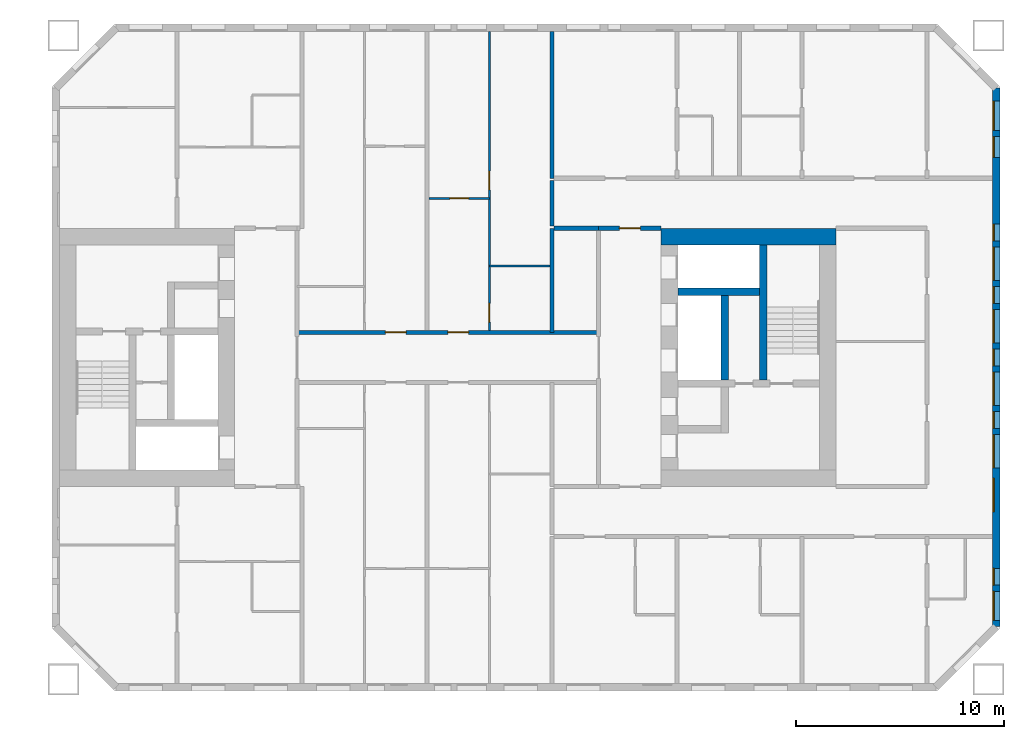
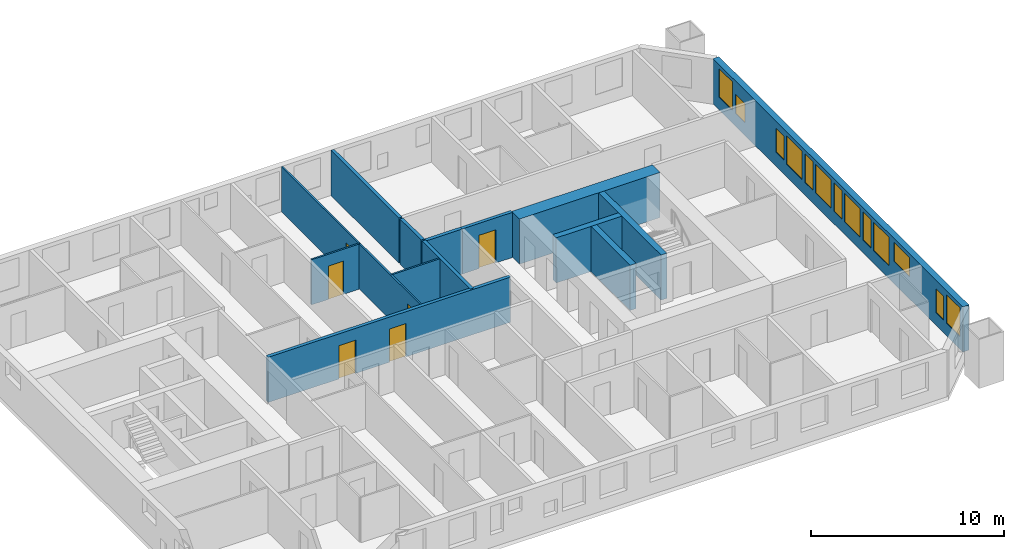
# One storey, part 15 of 19: 14 walls, 13 windows, 6 doors, 19 openings.
"""IFC4 building model written with IfcOpenShell, lengths in metres."""

from ifc_helpers import new_model, si_unit, direction, frame, frame_2d, origin, place, context, subcontext, project, spatial, rectangle, extrude, material, layer, layer_set, type_object, element, fill, save


model = new_model("IFC4")

# Units and contexts
model_context = context("Model", 3, precision=1e-05, world=origin(), true_north=direction((0.0, 1.0)))
body_context = subcontext(model_context, "Body", "Model", "MODEL_VIEW")
ifc_project = project(units=[si_unit("LENGTHUNIT", "METRE"), si_unit("AREAUNIT", "SQUARE_METRE"), si_unit("VOLUMEUNIT", "CUBIC_METRE"), si_unit("PLANEANGLEUNIT", "RADIAN"), si_unit("MASSUNIT", "GRAM", prefix="KILO")], contexts=[model_context])

# Site, building, storey
site_placement = place(None, origin())
site = spatial("IfcSite", under=ifc_project, at=site_placement, CompositionType="ELEMENT")
building_placement = place(site_placement, origin())
building = spatial("IfcBuilding", under=site, at=building_placement, Name="Tuart Gate Housing", CompositionType="ELEMENT")
storey_placement = place(building_placement, frame((0.0, 0.0, 56.699951171875)))
storey = spatial("IfcBuildingStorey", under=building, at=storey_placement, Name="L15", CompositionType="ELEMENT", Elevation=56.699951171875)

# Wall, openings, windows
ifc_material_1 = material(Name="Brick", Category="masonry")
ifc_layer_1 = layer(ifc_material_1, 0.360107421875)
ifc_layer_set_1 = layer_set([ifc_layer_1], Name="Brick pier and spandrel wall 360")
wall_type_1 = type_object("IfcWallType", Name="Brick pier and spandrel wall 360", PredefinedType="STANDARD", material=ifc_layer_set_1)
wall_1_placement = place(storey_placement, frame((176.320068359375, 57.07470703125, 0.0), z_axis=(0.0, 0.0, 1.0), x_axis=(0.0, 1.0, 0.0)))
wall_1 = element("IfcWall", 1, at=wall_1_placement, inside=storey, type_object=wall_type_1, Name="External wall B-E L15", PredefinedType="STANDARD", context=body_context, shape_type="SweptSolid", body=[
    extrude(rectangle(XDim=25.850830078125, YDim=0.360107421875, at=frame_2d((12.92529296875, 0.0))), origin(), (0.0, 0.0, 1.0), 2.85009765625),
])
opening_1_placement = place(wall_1_placement, frame((0.300048828125, 0.0, 0.800048828125)))
opening_1 = element("IfcOpeningElement", 2, at=opening_1_placement, cuts=wall_1, Name="Opening W1A", PredefinedType="OPENING", context=body_context, shape_type="SweptSolid", body=[
    extrude(rectangle(XDim=1.39990234375, YDim=1.800048828125, at=frame_2d((0.699951171875, 0.89990234375))), frame((0.0, 0.18994140625, 0.0), z_axis=(0.0, -1.0, 0.0), x_axis=(1.0, 0.0, 0.0)), (0.0, 0.0, 1.0), 0.380126953125),
])
opening_2_placement = place(wall_1_placement, frame((5.525390625, 0.0, 1.39990234375)))
opening_2 = element("IfcOpeningElement", 3, at=opening_2_placement, cuts=wall_1, Name="Opening W1L", PredefinedType="OPENING", context=body_context, shape_type="SweptSolid", body=[
    extrude(rectangle(XDim=1.60009765625, YDim=1.199951171875, at=frame_2d((0.800048828125, 0.60009765625))), frame((0.0, 0.18994140625, 0.0), z_axis=(0.0, -1.0, 0.0), x_axis=(1.0, 0.0, 0.0)), (0.0, 0.0, 1.0), 0.380126953125),
])
opening_3_placement = place(wall_1_placement, frame((7.62548828125, 0.0, 0.800048828125)))
opening_3 = element("IfcOpeningElement", 4, at=opening_3_placement, cuts=wall_1, Name="Opening W1", PredefinedType="OPENING", context=body_context, shape_type="SweptSolid", body=[
    extrude(rectangle(XDim=1.60009765625, YDim=1.800048828125, at=frame_2d((0.800048828125, 0.89990234375))), frame((0.0, 0.18994140625, 0.0), z_axis=(0.0, -1.0, 0.0), x_axis=(1.0, 0.0, 0.0)), (0.0, 0.0, 1.0), 0.380126953125),
])
opening_4_placement = place(wall_1_placement, frame((10.62548828125, 0.0, 0.800048828125)))
opening_4 = element("IfcOpeningElement", 5, at=opening_4_placement, cuts=wall_1, Name="Opening W1", PredefinedType="OPENING", context=body_context, shape_type="SweptSolid", body=[
    extrude(rectangle(XDim=1.60009765625, YDim=1.800048828125, at=frame_2d((0.800048828125, 0.89990234375))), frame((0.0, 0.18994140625, 0.0), z_axis=(0.0, -1.0, 0.0), x_axis=(1.0, 0.0, 0.0)), (0.0, 0.0, 1.0), 0.380126953125),
])
opening_5_placement = place(wall_1_placement, frame((13.62548828125, 0.0, 0.800048828125)))
opening_5 = element("IfcOpeningElement", 6, at=opening_5_placement, cuts=wall_1, Name="Opening W1", PredefinedType="OPENING", context=body_context, shape_type="SweptSolid", body=[
    extrude(rectangle(XDim=1.60009765625, YDim=1.800048828125, at=frame_2d((0.800048828125, 0.89990234375))), frame((0.0, 0.18994140625, 0.0), z_axis=(0.0, -1.0, 0.0), x_axis=(1.0, 0.0, 0.0)), (0.0, 0.0, 1.0), 0.380126953125),
])
opening_6_placement = place(wall_1_placement, frame((16.62548828125, 0.0, 0.800048828125)))
opening_6 = element("IfcOpeningElement", 7, at=opening_6_placement, cuts=wall_1, Name="Opening W1", PredefinedType="OPENING", context=body_context, shape_type="SweptSolid", body=[
    extrude(rectangle(XDim=1.60009765625, YDim=1.800048828125, at=frame_2d((0.800048828125, 0.89990234375))), frame((0.0, 0.18994140625, 0.0), z_axis=(0.0, -1.0, 0.0), x_axis=(1.0, 0.0, 0.0)), (0.0, 0.0, 1.0), 0.380126953125),
])
opening_7_placement = place(wall_1_placement, frame((9.525390625, 0.0, 0.800048828125)))
opening_7 = element("IfcOpeningElement", 8, at=opening_7_placement, cuts=wall_1, Name="Opening W1D", PredefinedType="OPENING", context=body_context, shape_type="SweptSolid", body=[
    extrude(rectangle(XDim=0.800048828125, YDim=1.800048828125, at=frame_2d((0.39990234375, 0.89990234375))), frame((0.0, 0.18994140625, 0.0), z_axis=(0.0, -1.0, 0.0), x_axis=(1.0, 0.0, 0.0)), (0.0, 0.0, 1.0), 0.380126953125),
])
opening_8_placement = place(wall_1_placement, frame((22.525390625, 0.0, 0.800048828125)))
opening_8 = element("IfcOpeningElement", 9, at=opening_8_placement, cuts=wall_1, Name="Opening W1O", PredefinedType="OPENING", context=body_context, shape_type="SweptSolid", body=[
    extrude(rectangle(XDim=1.0, YDim=1.199951171875, at=frame_2d((0.5, 0.60009765625))), frame((0.0, 0.18994140625, 0.0), z_axis=(0.0, -1.0, 0.0), x_axis=(1.0, 0.0, 0.0)), (0.0, 0.0, 1.0), 0.380126953125),
])
opening_9_placement = place(wall_1_placement, frame((2.0, 0.0, 0.800048828125)))
opening_9 = element("IfcOpeningElement", 10, at=opening_9_placement, cuts=wall_1, Name="Opening W1J", PredefinedType="OPENING", context=body_context, shape_type="SweptSolid", body=[
    extrude(rectangle(XDim=0.800048828125, YDim=1.5, at=frame_2d((0.39990234375, 0.75))), frame((0.0, 0.18994140625, 0.0), z_axis=(0.0, -1.0, 0.0), x_axis=(1.0, 0.0, 0.0)), (0.0, 0.0, 1.0), 0.380126953125),
])
opening_10_placement = place(wall_1_placement, frame((12.525390625, 0.0, 0.800048828125)))
opening_10 = element("IfcOpeningElement", 11, at=opening_10_placement, cuts=wall_1, Name="Opening W1D", PredefinedType="OPENING", context=body_context, shape_type="SweptSolid", body=[
    extrude(rectangle(XDim=0.800048828125, YDim=1.800048828125, at=frame_2d((0.39990234375, 0.89990234375))), frame((0.0, 0.18994140625, 0.0), z_axis=(0.0, -1.0, 0.0), x_axis=(1.0, 0.0, 0.0)), (0.0, 0.0, 1.0), 0.380126953125),
])
opening_11_placement = place(wall_1_placement, frame((15.525390625, 0.0, 0.800048828125)))
opening_11 = element("IfcOpeningElement", 12, at=opening_11_placement, cuts=wall_1, Name="Opening W1D", PredefinedType="OPENING", context=body_context, shape_type="SweptSolid", body=[
    extrude(rectangle(XDim=0.800048828125, YDim=1.800048828125, at=frame_2d((0.39990234375, 0.89990234375))), frame((0.0, 0.18994140625, 0.0), z_axis=(0.0, -1.0, 0.0), x_axis=(1.0, 0.0, 0.0)), (0.0, 0.0, 1.0), 0.380126953125),
])
opening_12_placement = place(wall_1_placement, frame((18.525390625, 0.0, 0.89990234375)))
opening_12 = element("IfcOpeningElement", 13, at=opening_12_placement, cuts=wall_1, Name="Opening W1J", PredefinedType="OPENING", context=body_context, shape_type="SweptSolid", body=[
    extrude(rectangle(XDim=0.800048828125, YDim=1.5, at=frame_2d((0.39990234375, 0.75))), frame((0.0, 0.18994140625, 0.0), z_axis=(0.0, -1.0, 0.0), x_axis=(1.0, 0.0, 0.0)), (0.0, 0.0, 1.0), 0.380126953125),
])
opening_13_placement = place(wall_1_placement, frame((23.825439453125, 0.0, 0.800048828125)))
opening_13 = element("IfcOpeningElement", 14, at=opening_13_placement, cuts=wall_1, Name="Opening W1A", PredefinedType="OPENING", context=body_context, shape_type="SweptSolid", body=[
    extrude(rectangle(XDim=1.39990234375, YDim=1.800048828125, at=frame_2d((0.699951171875, 0.89990234375))), frame((0.0, 0.18994140625, 0.0), z_axis=(0.0, -1.0, 0.0), x_axis=(1.0, 0.0, 0.0)), (0.0, 0.0, 1.0), 0.380126953125),
])
ifc_material_2 = material(Name="Aluminium frame with clear glass", Category="aluminium")
window_type_1 = type_object("IfcWindowType", Name="Punched window 1000 x 1200", PartitioningType="SINGLE_PANEL", PredefinedType="WINDOW", material=ifc_material_2)
window_1_placement = place(opening_8_placement, origin())
window_1 = element("IfcWindow", 15, at=window_1_placement, inside=storey, type_object=window_type_1, Name="Window W1O", OverallHeight=1.199951171875, OverallWidth=1.0, PartitioningType="SINGLE_PANEL", PredefinedType="WINDOW", context=body_context, shape_type="SweptSolid", body=[
    extrude(rectangle(XDim=1.0, YDim=1.199951171875, at=frame_2d((0.5, 0.60009765625))), frame((0.0, 0.150146484375, 0.0), z_axis=(0.0, -1.0, 0.0), x_axis=(1.0, 0.0, 0.0)), (0.0, 0.0, 1.0), 0.06005859375),
])
fill(opening_8, window_1)
ifc_material_3 = material(Name="Aluminium frame with clear glass", Category="aluminium")
window_type_2 = type_object("IfcWindowType", Name="Punched window 1400 x 1800", PartitioningType="SINGLE_PANEL", PredefinedType="WINDOW", material=ifc_material_3)
window_2_placement = place(opening_1_placement, origin())
window_2 = element("IfcWindow", 16, at=window_2_placement, inside=storey, type_object=window_type_2, Name="Window W1A", OverallHeight=1.800048828125, OverallWidth=1.39990234375, PartitioningType="SINGLE_PANEL", PredefinedType="WINDOW", context=body_context, shape_type="SweptSolid", body=[
    extrude(rectangle(XDim=1.39990234375, YDim=1.800048828125, at=frame_2d((0.699951171875, 0.89990234375))), frame((0.0, 0.150146484375, 0.0), z_axis=(0.0, -1.0, 0.0), x_axis=(1.0, 0.0, 0.0)), (0.0, 0.0, 1.0), 0.06005859375),
])
fill(opening_1, window_2)
window_3_placement = place(opening_13_placement, origin())
window_3 = element("IfcWindow", 17, at=window_3_placement, inside=storey, type_object=window_type_2, Name="Window W1A", OverallHeight=1.800048828125, OverallWidth=1.39990234375, PartitioningType="SINGLE_PANEL", PredefinedType="WINDOW", context=body_context, shape_type="SweptSolid", body=[
    extrude(rectangle(XDim=1.39990234375, YDim=1.800048828125, at=frame_2d((0.699951171875, 0.89990234375))), frame((0.0, 0.150146484375, 0.0), z_axis=(0.0, -1.0, 0.0), x_axis=(1.0, 0.0, 0.0)), (0.0, 0.0, 1.0), 0.06005859375),
])
fill(opening_13, window_3)
ifc_material_4 = material(Name="Aluminium frame with clear glass", Category="aluminium")
window_type_3 = type_object("IfcWindowType", Name="Punched window 1600 x 1200", PartitioningType="SINGLE_PANEL", PredefinedType="WINDOW", material=ifc_material_4)
window_4_placement = place(opening_2_placement, origin())
window_4 = element("IfcWindow", 18, at=window_4_placement, inside=storey, type_object=window_type_3, Name="Window W1L", OverallHeight=1.199951171875, OverallWidth=1.60009765625, PartitioningType="SINGLE_PANEL", PredefinedType="WINDOW", context=body_context, shape_type="SweptSolid", body=[
    extrude(rectangle(XDim=1.60009765625, YDim=1.199951171875, at=frame_2d((0.800048828125, 0.60009765625))), frame((0.0, 0.150146484375, 0.0), z_axis=(0.0, -1.0, 0.0), x_axis=(1.0, 0.0, 0.0)), (0.0, 0.0, 1.0), 0.06005859375),
])
fill(opening_2, window_4)
ifc_material_5 = material(Name="Aluminium frame with clear glass", Category="aluminium")
window_type_4 = type_object("IfcWindowType", Name="Punched window 1600 x 1800", PartitioningType="SINGLE_PANEL", PredefinedType="WINDOW", material=ifc_material_5)
window_5_placement = place(opening_3_placement, origin())
window_5 = element("IfcWindow", 19, at=window_5_placement, inside=storey, type_object=window_type_4, Name="Window W1", OverallHeight=1.800048828125, OverallWidth=1.60009765625, PartitioningType="SINGLE_PANEL", PredefinedType="WINDOW", context=body_context, shape_type="SweptSolid", body=[
    extrude(rectangle(XDim=1.60009765625, YDim=1.800048828125, at=frame_2d((0.800048828125, 0.89990234375))), frame((0.0, 0.150146484375, 0.0), z_axis=(0.0, -1.0, 0.0), x_axis=(1.0, 0.0, 0.0)), (0.0, 0.0, 1.0), 0.06005859375),
])
fill(opening_3, window_5)
window_6_placement = place(opening_4_placement, origin())
window_6 = element("IfcWindow", 20, at=window_6_placement, inside=storey, type_object=window_type_4, Name="Window W1", OverallHeight=1.800048828125, OverallWidth=1.60009765625, PartitioningType="SINGLE_PANEL", PredefinedType="WINDOW", context=body_context, shape_type="SweptSolid", body=[
    extrude(rectangle(XDim=1.60009765625, YDim=1.800048828125, at=frame_2d((0.800048828125, 0.89990234375))), frame((0.0, 0.150146484375, 0.0), z_axis=(0.0, -1.0, 0.0), x_axis=(1.0, 0.0, 0.0)), (0.0, 0.0, 1.0), 0.06005859375),
])
fill(opening_4, window_6)
window_7_placement = place(opening_5_placement, origin())
window_7 = element("IfcWindow", 21, at=window_7_placement, inside=storey, type_object=window_type_4, Name="Window W1", OverallHeight=1.800048828125, OverallWidth=1.60009765625, PartitioningType="SINGLE_PANEL", PredefinedType="WINDOW", context=body_context, shape_type="SweptSolid", body=[
    extrude(rectangle(XDim=1.60009765625, YDim=1.800048828125, at=frame_2d((0.800048828125, 0.89990234375))), frame((0.0, 0.150146484375, 0.0), z_axis=(0.0, -1.0, 0.0), x_axis=(1.0, 0.0, 0.0)), (0.0, 0.0, 1.0), 0.06005859375),
])
fill(opening_5, window_7)
window_8_placement = place(opening_6_placement, origin())
window_8 = element("IfcWindow", 22, at=window_8_placement, inside=storey, type_object=window_type_4, Name="Window W1", OverallHeight=1.800048828125, OverallWidth=1.60009765625, PartitioningType="SINGLE_PANEL", PredefinedType="WINDOW", context=body_context, shape_type="SweptSolid", body=[
    extrude(rectangle(XDim=1.60009765625, YDim=1.800048828125, at=frame_2d((0.800048828125, 0.89990234375))), frame((0.0, 0.150146484375, 0.0), z_axis=(0.0, -1.0, 0.0), x_axis=(1.0, 0.0, 0.0)), (0.0, 0.0, 1.0), 0.06005859375),
])
fill(opening_6, window_8)
ifc_material_6 = material(Name="Aluminium frame with clear glass", Category="aluminium")
window_type_5 = type_object("IfcWindowType", Name="Punched window 800 x 1500", PartitioningType="SINGLE_PANEL", PredefinedType="WINDOW", material=ifc_material_6)
window_9_placement = place(opening_9_placement, origin())
window_9 = element("IfcWindow", 23, at=window_9_placement, inside=storey, type_object=window_type_5, Name="Window W1J", OverallHeight=1.5, OverallWidth=0.800048828125, PartitioningType="SINGLE_PANEL", PredefinedType="WINDOW", context=body_context, shape_type="SweptSolid", body=[
    extrude(rectangle(XDim=0.800048828125, YDim=1.5, at=frame_2d((0.39990234375, 0.75))), frame((0.0, 0.150146484375, 0.0), z_axis=(0.0, -1.0, 0.0), x_axis=(1.0, 0.0, 0.0)), (0.0, 0.0, 1.0), 0.06005859375),
])
fill(opening_9, window_9)
window_10_placement = place(opening_12_placement, origin())
window_10 = element("IfcWindow", 24, at=window_10_placement, inside=storey, type_object=window_type_5, Name="Window W1J", OverallHeight=1.5, OverallWidth=0.800048828125, PartitioningType="SINGLE_PANEL", PredefinedType="WINDOW", context=body_context, shape_type="SweptSolid", body=[
    extrude(rectangle(XDim=0.800048828125, YDim=1.5, at=frame_2d((0.39990234375, 0.75))), frame((0.0, 0.150146484375, 0.0), z_axis=(0.0, -1.0, 0.0), x_axis=(1.0, 0.0, 0.0)), (0.0, 0.0, 1.0), 0.06005859375),
])
fill(opening_12, window_10)
ifc_material_7 = material(Name="Aluminium frame with clear glass", Category="aluminium")
window_type_6 = type_object("IfcWindowType", Name="Punched window 800 x 1800", PartitioningType="SINGLE_PANEL", PredefinedType="WINDOW", material=ifc_material_7)
window_11_placement = place(opening_7_placement, origin())
window_11 = element("IfcWindow", 25, at=window_11_placement, inside=storey, type_object=window_type_6, Name="Window W1D", OverallHeight=1.800048828125, OverallWidth=0.800048828125, PartitioningType="SINGLE_PANEL", PredefinedType="WINDOW", context=body_context, shape_type="SweptSolid", body=[
    extrude(rectangle(XDim=0.800048828125, YDim=1.800048828125, at=frame_2d((0.39990234375, 0.89990234375))), frame((0.0, 0.150146484375, 0.0), z_axis=(0.0, -1.0, 0.0), x_axis=(1.0, 0.0, 0.0)), (0.0, 0.0, 1.0), 0.06005859375),
])
fill(opening_7, window_11)
window_12_placement = place(opening_10_placement, origin())
window_12 = element("IfcWindow", 26, at=window_12_placement, inside=storey, type_object=window_type_6, Name="Window W1D", OverallHeight=1.800048828125, OverallWidth=0.800048828125, PartitioningType="SINGLE_PANEL", PredefinedType="WINDOW", context=body_context, shape_type="SweptSolid", body=[
    extrude(rectangle(XDim=0.800048828125, YDim=1.800048828125, at=frame_2d((0.39990234375, 0.89990234375))), frame((0.0, 0.150146484375, 0.0), z_axis=(0.0, -1.0, 0.0), x_axis=(1.0, 0.0, 0.0)), (0.0, 0.0, 1.0), 0.06005859375),
])
fill(opening_10, window_12)
window_13_placement = place(opening_11_placement, origin())
window_13 = element("IfcWindow", 27, at=window_13_placement, inside=storey, type_object=window_type_6, Name="Window W1D", OverallHeight=1.800048828125, OverallWidth=0.800048828125, PartitioningType="SINGLE_PANEL", PredefinedType="WINDOW", context=body_context, shape_type="SweptSolid", body=[
    extrude(rectangle(XDim=0.800048828125, YDim=1.800048828125, at=frame_2d((0.39990234375, 0.89990234375))), frame((0.0, 0.150146484375, 0.0), z_axis=(0.0, -1.0, 0.0), x_axis=(1.0, 0.0, 0.0)), (0.0, 0.0, 1.0), 0.06005859375),
])
fill(opening_11, window_13)

# Walls
ifc_material_8 = material(Name="Concrete C60", Category="concrete")
ifc_layer_2 = layer(ifc_material_8, 0.35009765625)
ifc_layer_set_2 = layer_set([ifc_layer_2], Name="Core wall 350 C60")
wall_type_2 = type_object("IfcWallType", Name="Core wall 350 C60", PredefinedType="SHEAR", material=ifc_layer_set_2)
wall_2_placement = place(storey_placement, frame((161.0400390625, 73.14990234375, 0.0), z_axis=(0.0, 0.0, 1.0), x_axis=(1.0, 0.0, 0.0)))
element("IfcWall", 28, at=wall_2_placement, inside=storey, type_object=wall_type_2, Name="Core wall BK.1", PredefinedType="SHEAR", context=body_context, shape_type="SweptSolid", body=[
    extrude(rectangle(XDim=3.925048828125, YDim=0.35009765625, at=frame_2d((1.96240234375, 0.0))), origin(), (0.0, 0.0, 1.0), 2.85009765625),
])
wall_3_placement = place(storey_placement, frame((163.2900390625, 72.97509765625, 0.0), z_axis=(0.0, 0.0, 1.0), x_axis=(0.0, -1.0, 0.0)))
element("IfcWall", 29, at=wall_3_placement, inside=storey, type_object=wall_type_2, Name="Core wall BK.4", PredefinedType="SHEAR", context=body_context, shape_type="SweptSolid", body=[
    extrude(rectangle(XDim=4.050048828125, YDim=0.35009765625, at=frame_2d((2.02490234375, 0.0))), origin(), (0.0, 0.0, 1.0), 2.85009765625),
])
wall_4_placement = place(storey_placement, frame((165.139892578125, 75.39990234375, 0.0), z_axis=(0.0, 0.0, 1.0), x_axis=(0.0, -1.0, 0.0)))
element("IfcWall", 30, at=wall_4_placement, inside=storey, type_object=wall_type_2, Name="Core wall BK.6", PredefinedType="SHEAR", context=body_context, shape_type="SweptSolid", body=[
    extrude(rectangle(XDim=6.474853515625, YDim=0.35009765625, at=frame_2d((3.2373046875, 0.0))), origin(), (0.0, 0.0, 1.0), 2.85009765625),
])
ifc_material_9 = material(Name="Concrete C60", Category="concrete")
ifc_layer_3 = layer(ifc_material_9, 0.800048828125)
ifc_layer_set_3 = layer_set([ifc_layer_3], Name="Core wall 800 C60")
wall_type_3 = type_object("IfcWallType", Name="Core wall 800 C60", PredefinedType="SHEAR", material=ifc_layer_set_3)
wall_5_placement = place(storey_placement, frame((160.239990234375, 75.800048828125, 0.0), z_axis=(0.0, 0.0, 1.0), x_axis=(1.0, 0.0, 0.0)))
element("IfcWall", 31, at=wall_5_placement, inside=storey, type_object=wall_type_3, Name="Core wall BK south", PredefinedType="SHEAR", context=body_context, shape_type="SweptSolid", body=[
    extrude(rectangle(XDim=8.39990234375, YDim=0.800048828125, at=frame_2d((4.199951171875, 0.0))), origin(), (0.0, 0.0, 1.0), 2.85009765625),
])

# Wall, openings, doors
ifc_material_10 = material(Name="Concrete masonry 15 MPa", Category="masonry")
ifc_layer_4 = layer(ifc_material_10, 0.199951171875)
ifc_layer_set_4 = layer_set([ifc_layer_4], Name="Corridor wall masonry 200")
wall_type_4 = type_object("IfcWallType", Name="Corridor wall masonry 200", PredefinedType="PARTITIONING", material=ifc_layer_set_4)
wall_6_placement = place(storey_placement, frame((142.760009765625, 71.199951171875, 0.0), z_axis=(0.0, 0.0, 1.0), x_axis=(1.0, 0.0, 0.0)))
wall_6 = element("IfcWall", 32, at=wall_6_placement, inside=storey, type_object=wall_type_4, Name="Corridor wall masonry 200", PredefinedType="PARTITIONING", context=body_context, shape_type="SweptSolid", body=[
    extrude(rectangle(XDim=14.47998046875, YDim=0.199951171875, at=frame_2d((7.239990234375, 0.0))), origin(), (0.0, 0.0, 1.0), 2.85009765625),
])
opening_14_placement = place(wall_6_placement, frame((4.239990234375, 0.0, 0.0)))
opening_14 = element("IfcOpeningElement", 33, at=opening_14_placement, cuts=wall_6, Name="Opening D799", PredefinedType="OPENING", context=body_context, shape_type="SweptSolid", body=[
    extrude(rectangle(XDim=1.0, YDim=2.10009765625, at=frame_2d((0.5, 1.050048828125))), frame((0.0, 0.10986328125, 0.0), z_axis=(0.0, -1.0, 0.0), x_axis=(1.0, 0.0, 0.0)), (0.0, 0.0, 1.0), 0.219970703125),
])
opening_15_placement = place(wall_6_placement, frame((7.239990234375, 0.0, 0.0)))
opening_15 = element("IfcOpeningElement", 34, at=opening_15_placement, cuts=wall_6, Name="Opening D800", PredefinedType="OPENING", context=body_context, shape_type="SweptSolid", body=[
    extrude(rectangle(XDim=1.0, YDim=2.10009765625, at=frame_2d((0.5, 1.050048828125))), frame((0.0, 0.10986328125, 0.0), z_axis=(0.0, -1.0, 0.0), x_axis=(1.0, 0.0, 0.0)), (0.0, 0.0, 1.0), 0.219970703125),
])
ifc_material_11 = material(Name="Timber door leaf in steel frame", Category="steel")
door_type_1 = type_object("IfcDoorType", Name="Flat entrance door 1000", OperationType="SINGLE_SWING_LEFT", PredefinedType="DOOR", material=ifc_material_11)
door_1_placement = place(opening_14_placement, origin())
door_1 = element("IfcDoor", 35, at=door_1_placement, inside=storey, type_object=door_type_1, Name="Flat entrance door", OperationType="SINGLE_SWING_LEFT", OverallHeight=2.10009765625, OverallWidth=1.0, PredefinedType="DOOR", context=body_context, shape_type="SweptSolid", body=[
    extrude(rectangle(XDim=1.0, YDim=2.10009765625, at=frame_2d((0.5, 1.050048828125))), frame((0.0, 0.02490234375, 0.0), z_axis=(0.0, -1.0, 0.0), x_axis=(1.0, 0.0, 0.0)), (0.0, 0.0, 1.0), 0.050048828125),
])
fill(opening_14, door_1)
door_2_placement = place(opening_15_placement, origin())
door_2 = element("IfcDoor", 36, at=door_2_placement, inside=storey, type_object=door_type_1, Name="Flat entrance door", OperationType="SINGLE_SWING_LEFT", OverallHeight=2.10009765625, OverallWidth=1.0, PredefinedType="DOOR", context=body_context, shape_type="SweptSolid", body=[
    extrude(rectangle(XDim=1.0, YDim=2.10009765625, at=frame_2d((0.5, 1.050048828125))), frame((0.0, 0.02490234375, 0.0), z_axis=(0.0, -1.0, 0.0), x_axis=(1.0, 0.0, 0.0)), (0.0, 0.0, 1.0), 0.050048828125),
])
fill(opening_15, door_2)

# Walls
wall_7_placement = place(storey_placement, frame((155.10009765625, 76.199951171875, 0.0), z_axis=(0.0, 0.0, 1.0), x_axis=(1.0, 0.0, 0.0)))
element("IfcWall", 37, at=wall_7_placement, inside=storey, type_object=wall_type_4, Name="Corridor wall masonry 200", PredefinedType="PARTITIONING", context=body_context, shape_type="SweptSolid", body=[
    extrude(rectangle(XDim=2.139892578125, YDim=0.199951171875, at=frame_2d((1.06982421875, 0.0))), origin(), (0.0, 0.0, 1.0), 2.85009765625),
])
wall_8_placement = place(storey_placement, frame((155.0, 76.300048828125, 0.0), z_axis=(0.0, 0.0, 1.0), x_axis=(0.0, 1.0, 0.0)))
element("IfcWall", 38, at=wall_8_placement, inside=storey, type_object=wall_type_4, Name="Corridor wall masonry 200", PredefinedType="PARTITIONING", context=body_context, shape_type="SweptSolid", body=[
    extrude(rectangle(XDim=2.199951171875, YDim=0.199951171875, at=frame_2d((1.10009765625, 0.0))), origin(), (0.0, 0.0, 1.0), 2.85009765625),
])

# Wall, opening, door
ifc_material_12 = material(Name="Concrete masonry 15 MPa", Category="masonry")
ifc_layer_5 = layer(ifc_material_12, 0.199951171875)
ifc_layer_set_5 = layer_set([ifc_layer_5], Name="Enclosure wall masonry 200")
wall_type_5 = type_object("IfcWallType", Name="Enclosure wall masonry 200", PredefinedType="PARTITIONING", material=ifc_layer_set_5)
wall_9_placement = place(storey_placement, frame((157.239990234375, 76.199951171875, 0.0), z_axis=(0.0, 0.0, 1.0), x_axis=(1.0, 0.0, 0.0)))
wall_9 = element("IfcWall", 39, at=wall_9_placement, inside=storey, type_object=wall_type_5, Name="Enclosure wall masonry 200", PredefinedType="PARTITIONING", context=body_context, shape_type="SweptSolid", body=[
    extrude(rectangle(XDim=3.0, YDim=0.199951171875, at=frame_2d((1.5, 0.0))), origin(), (0.0, 0.0, 1.0), 2.85009765625),
])
opening_16_placement = place(wall_9_placement, frame((1.0, 0.0, 0.0)))
opening_16 = element("IfcOpeningElement", 40, at=opening_16_placement, cuts=wall_9, Name="Opening D796", PredefinedType="OPENING", context=body_context, shape_type="SweptSolid", body=[
    extrude(rectangle(XDim=1.0, YDim=2.10009765625, at=frame_2d((0.5, 1.050048828125))), frame((0.0, 0.10986328125, 0.0), z_axis=(0.0, -1.0, 0.0), x_axis=(1.0, 0.0, 0.0)), (0.0, 0.0, 1.0), 0.219970703125),
])
ifc_material_13 = material(Name="Timber door leaf in steel frame", Category="steel")
door_type_2 = type_object("IfcDoorType", Name="Fire door 1000", OperationType="SINGLE_SWING_LEFT", PredefinedType="DOOR", material=ifc_material_13)
door_3_placement = place(opening_16_placement, origin())
door_3 = element("IfcDoor", 41, at=door_3_placement, inside=storey, type_object=door_type_2, Name="Fire door", OperationType="SINGLE_SWING_LEFT", OverallHeight=2.10009765625, OverallWidth=1.0, PredefinedType="DOOR", context=body_context, shape_type="SweptSolid", body=[
    extrude(rectangle(XDim=1.0, YDim=2.10009765625, at=frame_2d((0.5, 1.050048828125))), frame((0.0, 0.02490234375, 0.0), z_axis=(0.0, -1.0, 0.0), x_axis=(1.0, 0.0, 0.0)), (0.0, 0.0, 1.0), 0.050048828125),
])
fill(opening_16, door_3)

# Wall
ifc_material_14 = material(Name="Gypsum board on steel studs", Category="steel")
ifc_layer_6 = layer(ifc_material_14, 0.10009765625)
ifc_layer_set_6 = layer_set([ifc_layer_6], Name="Partition 100")
wall_type_6 = type_object("IfcWallType", Name="Partition 100", PredefinedType="PARTITIONING", material=ifc_layer_set_6)
wall_10_placement = place(storey_placement, frame((152.0, 74.39990234375, 0.0), z_axis=(0.0, 0.0, 1.0), x_axis=(1.0, 0.0, 0.0)))
element("IfcWall", 42, at=wall_10_placement, inside=storey, type_object=wall_type_6, Name="Partition 100", PredefinedType="PARTITIONING", context=body_context, shape_type="SweptSolid", body=[
    extrude(rectangle(XDim=2.89990234375, YDim=0.10009765625, at=frame_2d((1.449951171875, 0.0))), origin(), (0.0, 0.0, 1.0), 2.85009765625),
])

# Wall, opening, door
wall_11_placement = place(storey_placement, frame((149.10009765625, 77.639892578125, 0.0), z_axis=(0.0, 0.0, 1.0), x_axis=(1.0, 0.0, 0.0)))
wall_11 = element("IfcWall", 43, at=wall_11_placement, inside=storey, type_object=wall_type_6, Name="Partition 100", PredefinedType="PARTITIONING", context=body_context, shape_type="SweptSolid", body=[
    extrude(rectangle(XDim=2.89990234375, YDim=0.10009765625, at=frame_2d((1.449951171875, 0.0))), origin(), (0.0, 0.0, 1.0), 2.85009765625),
])
opening_17_placement = place(wall_11_placement, frame((1.0, 0.0, 0.0)))
opening_17 = element("IfcOpeningElement", 44, at=opening_17_placement, cuts=wall_11, Name="Opening D794", PredefinedType="OPENING", context=body_context, shape_type="SweptSolid", body=[
    extrude(rectangle(XDim=0.89990234375, YDim=2.10009765625, at=frame_2d((0.449951171875, 1.050048828125))), frame((0.0, 0.06005859375, 0.0), z_axis=(0.0, -1.0, 0.0), x_axis=(1.0, 0.0, 0.0)), (0.0, 0.0, 1.0), 0.1201171875),
])
ifc_material_15 = material(Name="Timber door leaf in steel frame", Category="steel")
door_type_3 = type_object("IfcDoorType", Name="Internal door 900", OperationType="SINGLE_SWING_LEFT", PredefinedType="DOOR", material=ifc_material_15)
door_4_placement = place(opening_17_placement, frame((0.89990234375, 0.0, 0.0), z_axis=(0.0, 0.0, 1.0), x_axis=(-1.0, 0.0, 0.0)))
door_4 = element("IfcDoor", 45, at=door_4_placement, inside=storey, type_object=door_type_3, Name="Internal door", OperationType="SINGLE_SWING_LEFT", OverallHeight=2.10009765625, OverallWidth=0.89990234375, PredefinedType="DOOR", context=body_context, shape_type="SweptSolid", body=[
    extrude(rectangle(XDim=0.89990234375, YDim=2.10009765625, at=frame_2d((0.449951171875, 1.050048828125))), frame((0.0, 0.025146484375, 0.0), z_axis=(0.0, -1.0, 0.0), x_axis=(1.0, 0.0, 0.0)), (0.0, 0.0, 1.0), 0.050048828125),
])
fill(opening_17, door_4)

# Wall, openings, doors
wall_12_placement = place(storey_placement, frame((152.0, 71.300048828125, 0.0), z_axis=(0.0, 0.0, 1.0), x_axis=(0.0, 1.0, 0.0)))
wall_12 = element("IfcWall", 46, at=wall_12_placement, inside=storey, type_object=wall_type_6, Name="Partition 100", PredefinedType="PARTITIONING", context=body_context, shape_type="SweptSolid", body=[
    extrude(rectangle(XDim=14.33984375, YDim=0.10009765625, at=frame_2d((7.169921875, 0.0))), origin(), (0.0, 0.0, 1.0), 2.85009765625),
])
opening_18_placement = place(wall_12_placement, frame((6.739990234375, 0.0, 0.0)))
opening_18 = element("IfcOpeningElement", 47, at=opening_18_placement, cuts=wall_12, Name="Opening D793", PredefinedType="OPENING", context=body_context, shape_type="SweptSolid", body=[
    extrude(rectangle(XDim=0.89990234375, YDim=2.10009765625, at=frame_2d((0.449951171875, 1.050048828125))), frame((0.0, 0.06005859375, 0.0), z_axis=(0.0, -1.0, 0.0), x_axis=(1.0, 0.0, 0.0)), (0.0, 0.0, 1.0), 0.1201171875),
])
opening_19_placement = place(wall_12_placement, frame((0.39990234375, 0.0, 0.0)))
opening_19 = element("IfcOpeningElement", 48, at=opening_19_placement, cuts=wall_12, Name="Opening D792", PredefinedType="OPENING", context=body_context, shape_type="SweptSolid", body=[
    extrude(rectangle(XDim=0.89990234375, YDim=2.10009765625, at=frame_2d((0.449951171875, 1.050048828125))), frame((0.0, 0.06005859375, 0.0), z_axis=(0.0, -1.0, 0.0), x_axis=(1.0, 0.0, 0.0)), (0.0, 0.0, 1.0), 0.1201171875),
])
ifc_material_16 = material(Name="Timber door leaf in steel frame", Category="steel")
door_type_4 = type_object("IfcDoorType", Name="Bathroom door 900 RH", OperationType="SINGLE_SWING_RIGHT", PredefinedType="DOOR", material=ifc_material_16)
door_5_placement = place(opening_19_placement, frame((0.89990234375, 0.0, 0.0), z_axis=(0.0, 0.0, 1.0), x_axis=(-1.0, 0.0, 0.0)))
door_5 = element("IfcDoor", 49, at=door_5_placement, inside=storey, type_object=door_type_4, Name="Bathroom door", OperationType="SINGLE_SWING_RIGHT", OverallHeight=2.10009765625, OverallWidth=0.89990234375, PredefinedType="DOOR", context=body_context, shape_type="SweptSolid", body=[
    extrude(rectangle(XDim=0.89990234375, YDim=2.10009765625, at=frame_2d((0.449951171875, 1.050048828125))), frame((0.0, 0.025146484375, 0.0), z_axis=(0.0, -1.0, 0.0), x_axis=(1.0, 0.0, 0.0)), (0.0, 0.0, 1.0), 0.050048828125),
])
fill(opening_19, door_5)
ifc_material_17 = material(Name="Timber door leaf in steel frame", Category="steel")
door_type_5 = type_object("IfcDoorType", Name="Internal door 900 RH", OperationType="SINGLE_SWING_RIGHT", PredefinedType="DOOR", material=ifc_material_17)
door_6_placement = place(opening_18_placement, frame((0.89990234375, 0.0, 0.0), z_axis=(0.0, 0.0, 1.0), x_axis=(-1.0, 0.0, 0.0)))
door_6 = element("IfcDoor", 50, at=door_6_placement, inside=storey, type_object=door_type_5, Name="Internal door", OperationType="SINGLE_SWING_RIGHT", OverallHeight=2.10009765625, OverallWidth=0.89990234375, PredefinedType="DOOR", context=body_context, shape_type="SweptSolid", body=[
    extrude(rectangle(XDim=0.89990234375, YDim=2.10009765625, at=frame_2d((0.449951171875, 1.050048828125))), frame((0.0, 0.025146484375, 0.0), z_axis=(0.0, -1.0, 0.0), x_axis=(1.0, 0.0, 0.0)), (0.0, 0.0, 1.0), 0.050048828125),
])
fill(opening_18, door_6)

# Walls
ifc_material_18 = material(Name="Concrete C40", Category="concrete")
ifc_layer_7 = layer(ifc_material_18, 0.199951171875)
ifc_layer_set_7 = layer_set([ifc_layer_7], Name="Party wall concrete C40 200")
wall_type_7 = type_object("IfcWallType", Name="Party wall concrete C40 200", PredefinedType="SOLIDWALL", material=ifc_layer_set_7)
wall_13_placement = place(storey_placement, frame((155.0, 71.199951171875, 0.0), z_axis=(0.0, 0.0, 1.0), x_axis=(0.0, 1.0, 0.0)))
element("IfcWall", 51, at=wall_13_placement, inside=storey, type_object=wall_type_7, Name="Party wall concrete C40 200", PredefinedType="SOLIDWALL", context=body_context, shape_type="SweptSolid", body=[
    extrude(rectangle(XDim=5.0, YDim=0.199951171875, at=frame_2d((2.5, 0.0))), origin(), (0.0, 0.0, 1.0), 2.85009765625),
])
wall_14_placement = place(storey_placement, frame((155.0, 78.60009765625, 0.0), z_axis=(0.0, 0.0, 1.0), x_axis=(0.0, 1.0, 0.0)))
element("IfcWall", 52, at=wall_14_placement, inside=storey, type_object=wall_type_7, Name="Party wall concrete C40 200", PredefinedType="SOLIDWALL", context=body_context, shape_type="SweptSolid", body=[
    extrude(rectangle(XDim=7.039794921875, YDim=0.199951171875, at=frame_2d((3.52001953125, 0.0))), origin(), (0.0, 0.0, 1.0), 2.85009765625),
])

save(model, "model.ifc")
